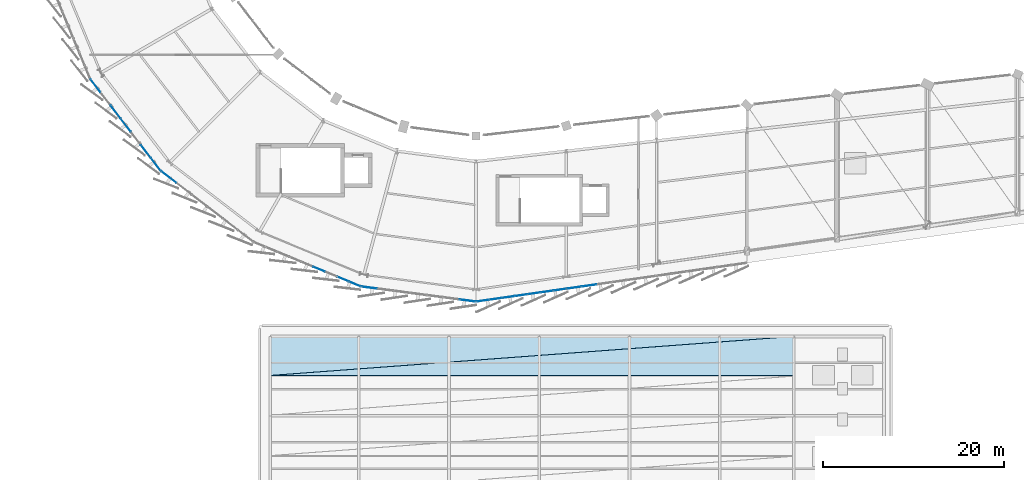
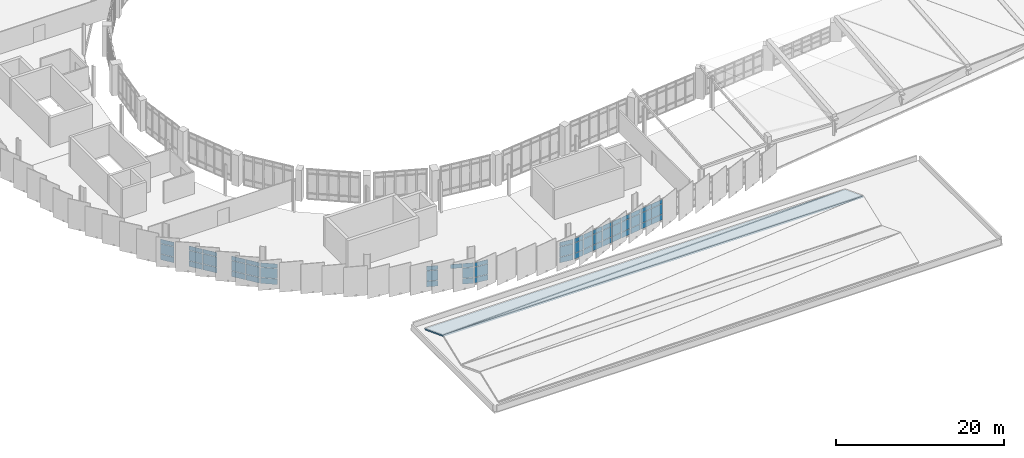
# One storey, part 46 of 67: 58 plates, 2 slabs, 6 elements without a shape of their own.
"""IFC4 building model written with IfcOpenShell, lengths in metres."""

from ifc_helpers import new_model, si_unit, direction, frame, origin, origin_2d, place, context, subcontext, project, spatial, polyline, rectangle, outline, extrude, material, layer, layer_set, type_object, element, aggregate, save


model = new_model("IFC4")

# Units and contexts
model_context = context("Model", 3, precision=1e-05, world=origin(), true_north=direction((0.0, 1.0)))
body_context = subcontext(model_context, "Body", "Model", "MODEL_VIEW")
ifc_project = project(units=[si_unit("LENGTHUNIT", "METRE"), si_unit("AREAUNIT", "SQUARE_METRE"), si_unit("VOLUMEUNIT", "CUBIC_METRE"), si_unit("PLANEANGLEUNIT", "RADIAN"), si_unit("MASSUNIT", "GRAM", prefix="KILO")], contexts=[model_context])

# Site, building, storey
site_placement = place(None, origin())
site = spatial("IfcSite", under=ifc_project, at=site_placement, CompositionType="ELEMENT")
building_placement = place(site_placement, origin())
building = spatial("IfcBuilding", under=site, at=building_placement, Name="Sohan Crest Arena", CompositionType="ELEMENT")
storey_placement = place(building_placement, frame((0.0, 0.0, 22.5)))
storey = spatial("IfcBuildingStorey", under=building, at=storey_placement, Name="L05", CompositionType="ELEMENT", Elevation=22.5)

# Curtain wall, plates
ifc_material_1 = material(Name="Thermally broken anodised aluminium", Category="aluminium")
ifc_layer_1 = layer(ifc_material_1, 0.219970703125, Name="Thermally broken anodised aluminium")
ifc_layer_set_1 = layer_set([ifc_layer_1], Name="Thermally broken anodised aluminium")
curtain_wall_type_1 = type_object("IfcCurtainWallType", Name="ARC-CW03", PredefinedType="NOTDEFINED", material=ifc_layer_set_1)
curtain_wall_1_placement = place(storey_placement, origin())
curtain_wall_1 = element("IfcCurtainWall", 1, at=curtain_wall_1_placement, inside=storey, type_object=curtain_wall_type_1, Name="Unitised curtain wall CW-154", PredefinedType="NOTDEFINED")
ifc_material_2 = material(Name="Low-E double-glazed insulated glass", Category="glass")
ifc_layer_2 = layer(ifc_material_2, 0.028076171875, Name="Low-E double-glazed insulated glass")
ifc_layer_set_2 = layer_set([ifc_layer_2], Name="Low-E double-glazed insulated glass")
plate_type_1 = type_object("IfcPlateType", Name="ARC-CNP01", PredefinedType="CURTAIN_PANEL", material=ifc_layer_set_2)
plate_1_placement = place(storey_placement, frame((55.831298828125, 52.5830078125, 0.070068359375), z_axis=(0.0, 0.0, 1.0), x_axis=(0.60871994181, -0.793385172815, 0.0)))
plate_1 = element("IfcPlate", 2, at=plate_1_placement, type_object=plate_type_1, Name="CW-154 panel 1.1", PredefinedType="CURTAIN_PANEL", context=body_context, shape_type="SweptSolid", body=[
    extrude(rectangle(XDim=1.75048828125, YDim=0.028076171875, at=origin_2d()), origin(), (0.0, 0.0, 1.0), 0.794921875),
])
plate_2_placement = place(storey_placement, frame((55.831298828125, 52.5830078125, 0.93505859375), z_axis=(0.0, 0.0, 1.0), x_axis=(0.60871994181, -0.793385172815, 0.0)))
plate_2 = element("IfcPlate", 3, at=plate_2_placement, type_object=plate_type_1, Name="CW-154 panel 1.2", PredefinedType="CURTAIN_PANEL", context=body_context, shape_type="SweptSolid", body=[
    extrude(rectangle(XDim=1.75048828125, YDim=0.028076171875, at=origin_2d()), origin(), (0.0, 0.0, 1.0), 1.449951171875),
])
plate_3_placement = place(storey_placement, frame((55.831298828125, 52.5830078125, 2.455078125), z_axis=(0.0, 0.0, 1.0), x_axis=(0.60871994181, -0.793385172815, 0.0)))
plate_3 = element("IfcPlate", 4, at=plate_3_placement, type_object=plate_type_1, Name="CW-154 panel 1.3", PredefinedType="CURTAIN_PANEL", context=body_context, shape_type="SweptSolid", body=[
    extrude(rectangle(XDim=1.75048828125, YDim=0.028076171875, at=origin_2d()), origin(), (0.0, 0.0, 1.0), 0.594970703125),
])
plate_4_placement = place(storey_placement, frame((58.062744140625, 49.674560546875, 0.070068359375), z_axis=(0.0, 0.0, 1.0), x_axis=(0.60871994181, -0.793385172815, 0.0)))
plate_4 = element("IfcPlate", 5, at=plate_4_placement, type_object=plate_type_1, Name="CW-154 panel 3.1", PredefinedType="CURTAIN_PANEL", context=body_context, shape_type="SweptSolid", body=[
    extrude(rectangle(XDim=1.780517578125, YDim=0.028076171875, at=origin_2d()), origin(), (0.0, 0.0, 1.0), 0.794921875),
])
plate_5_placement = place(storey_placement, frame((58.062744140625, 49.674560546875, 0.93505859375), z_axis=(0.0, 0.0, 1.0), x_axis=(0.60871994181, -0.793385172815, 0.0)))
plate_5 = element("IfcPlate", 6, at=plate_5_placement, type_object=plate_type_1, Name="CW-154 panel 3.2", PredefinedType="CURTAIN_PANEL", context=body_context, shape_type="SweptSolid", body=[
    extrude(rectangle(XDim=1.780517578125, YDim=0.028076171875, at=origin_2d()), origin(), (0.0, 0.0, 1.0), 1.449951171875),
])
plate_6_placement = place(storey_placement, frame((58.062744140625, 49.674560546875, 2.455078125), z_axis=(0.0, 0.0, 1.0), x_axis=(0.60871994181, -0.793385172815, 0.0)))
plate_6 = element("IfcPlate", 7, at=plate_6_placement, type_object=plate_type_1, Name="CW-154 panel 3.3", PredefinedType="CURTAIN_PANEL", context=body_context, shape_type="SweptSolid", body=[
    extrude(rectangle(XDim=1.780517578125, YDim=0.028076171875, at=origin_2d()), origin(), (0.0, 0.0, 1.0), 0.594970703125),
])
plate_7_placement = place(storey_placement, frame((59.18310546875, 48.214599609375, 0.070068359375), z_axis=(0.0, 0.0, 1.0), x_axis=(0.60871994181, -0.793385172815, 0.0)))
plate_7 = element("IfcPlate", 8, at=plate_7_placement, type_object=plate_type_1, Name="CW-154 panel 4.1", PredefinedType="CURTAIN_PANEL", context=body_context, shape_type="SweptSolid", body=[
    extrude(rectangle(XDim=1.780517578125, YDim=0.028076171875, at=origin_2d()), origin(), (0.0, 0.0, 1.0), 0.794921875),
])
plate_8_placement = place(storey_placement, frame((59.18310546875, 48.214599609375, 0.93505859375), z_axis=(0.0, 0.0, 1.0), x_axis=(0.60871994181, -0.793385172815, 0.0)))
plate_8 = element("IfcPlate", 9, at=plate_8_placement, type_object=plate_type_1, Name="CW-154 panel 4.2", PredefinedType="CURTAIN_PANEL", context=body_context, shape_type="SweptSolid", body=[
    extrude(rectangle(XDim=1.780517578125, YDim=0.028076171875, at=origin_2d()), origin(), (0.0, 0.0, 1.0), 1.449951171875),
])
plate_9_placement = place(storey_placement, frame((59.18310546875, 48.214599609375, 2.455078125), z_axis=(0.0, 0.0, 1.0), x_axis=(0.60871994181, -0.793385172815, 0.0)))
plate_9 = element("IfcPlate", 10, at=plate_9_placement, type_object=plate_type_1, Name="CW-154 panel 4.3", PredefinedType="CURTAIN_PANEL", context=body_context, shape_type="SweptSolid", body=[
    extrude(rectangle(XDim=1.780517578125, YDim=0.028076171875, at=origin_2d()), origin(), (0.0, 0.0, 1.0), 0.594970703125),
])
plate_10_placement = place(storey_placement, frame((61.423583984375, 45.294189453125, 0.070068359375), z_axis=(0.0, 0.0, 1.0), x_axis=(0.60871994181, -0.793385172815, 0.0)))
plate_10 = element("IfcPlate", 11, at=plate_10_placement, type_object=plate_type_1, Name="CW-154 panel 6.1", PredefinedType="CURTAIN_PANEL", context=body_context, shape_type="SweptSolid", body=[
    extrude(rectangle(XDim=1.780517578125, YDim=0.028076171875, at=origin_2d()), origin(), (0.0, 0.0, 1.0), 0.794921875),
])
plate_11_placement = place(storey_placement, frame((61.423583984375, 45.294189453125, 0.93505859375), z_axis=(0.0, 0.0, 1.0), x_axis=(0.60871994181, -0.793385172815, 0.0)))
plate_11 = element("IfcPlate", 12, at=plate_11_placement, type_object=plate_type_1, Name="CW-154 panel 6.2", PredefinedType="CURTAIN_PANEL", context=body_context, shape_type="SweptSolid", body=[
    extrude(rectangle(XDim=1.780517578125, YDim=0.028076171875, at=origin_2d()), origin(), (0.0, 0.0, 1.0), 1.449951171875),
])
plate_12_placement = place(storey_placement, frame((61.423583984375, 45.294189453125, 2.455078125), z_axis=(0.0, 0.0, 1.0), x_axis=(0.60871994181, -0.793385172815, 0.0)))
plate_12 = element("IfcPlate", 13, at=plate_12_placement, type_object=plate_type_1, Name="CW-154 panel 6.3", PredefinedType="CURTAIN_PANEL", context=body_context, shape_type="SweptSolid", body=[
    extrude(rectangle(XDim=1.780517578125, YDim=0.028076171875, at=origin_2d()), origin(), (0.0, 0.0, 1.0), 0.594970703125),
])
plate_13_placement = place(storey_placement, frame((62.53466796875, 43.845947265625, 0.070068359375), z_axis=(0.0, 0.0, 1.0), x_axis=(0.60871994181, -0.793385172815, 0.0)))
plate_13 = element("IfcPlate", 14, at=plate_13_placement, type_object=plate_type_1, Name="CW-154 panel 7.1", PredefinedType="CURTAIN_PANEL", context=body_context, shape_type="SweptSolid", body=[
    extrude(rectangle(XDim=1.75048828125, YDim=0.028076171875, at=origin_2d()), origin(), (0.0, 0.0, 1.0), 0.794921875),
])
plate_14_placement = place(storey_placement, frame((62.53466796875, 43.845947265625, 0.93505859375), z_axis=(0.0, 0.0, 1.0), x_axis=(0.60871994181, -0.793385172815, 0.0)))
plate_14 = element("IfcPlate", 15, at=plate_14_placement, type_object=plate_type_1, Name="CW-154 panel 7.2", PredefinedType="CURTAIN_PANEL", context=body_context, shape_type="SweptSolid", body=[
    extrude(rectangle(XDim=1.75048828125, YDim=0.028076171875, at=origin_2d()), origin(), (0.0, 0.0, 1.0), 1.449951171875),
])
plate_15_placement = place(storey_placement, frame((62.53466796875, 43.845947265625, 2.455078125), z_axis=(0.0, 0.0, 1.0), x_axis=(0.60871994181, -0.793385172815, 0.0)))
plate_15 = element("IfcPlate", 16, at=plate_15_placement, type_object=plate_type_1, Name="CW-154 panel 7.3", PredefinedType="CURTAIN_PANEL", context=body_context, shape_type="SweptSolid", body=[
    extrude(rectangle(XDim=1.75048828125, YDim=0.028076171875, at=origin_2d()), origin(), (0.0, 0.0, 1.0), 0.594970703125),
])
aggregate(curtain_wall_1, [plate_1, plate_2, plate_3, plate_4, plate_5, plate_6, plate_7, plate_8, plate_9, plate_10, plate_11, plate_12, plate_13, plate_14, plate_15])

ifc_layer_3 = layer(ifc_material_1, 0.179931640625, Name="Thermally broken anodised aluminium")
ifc_layer_set_3 = layer_set([ifc_layer_3], Name="Thermally broken anodised aluminium")
curtain_wall_type_2 = type_object("IfcCurtainWallType", Name="ARC-CW01", PredefinedType="NOTDEFINED", material=ifc_layer_set_3)
curtain_wall_2_placement = place(storey_placement, origin())
curtain_wall_2 = element("IfcCurtainWall", 17, at=curtain_wall_2_placement, inside=storey, type_object=curtain_wall_type_2, Name="Unitised curtain wall CW-158", PredefinedType="NOTDEFINED")
plate_16_placement = place(storey_placement, frame((98.729248046875, 28.754150390625, 0.06005859375), z_axis=(0.0, 0.0, 1.0), x_axis=(0.989943553128, 0.141462933734, 0.0)))
plate_16 = element("IfcPlate", 18, at=plate_16_placement, type_object=plate_type_1, Name="CW-158 panel 1.1", PredefinedType="CURTAIN_PANEL", context=body_context, shape_type="SweptSolid", body=[
    extrude(rectangle(XDim=1.35302734375, YDim=0.028076171875, at=origin_2d()), origin(), (0.0, 0.0, 1.0), 0.81005859375),
])
plate_17_placement = place(storey_placement, frame((98.729248046875, 28.754150390625, 0.929931640625), z_axis=(0.0, 0.0, 1.0), x_axis=(0.989943553128, 0.141462933734, 0.0)))
plate_17 = element("IfcPlate", 19, at=plate_17_placement, type_object=plate_type_1, Name="CW-158 panel 1.2", PredefinedType="CURTAIN_PANEL", context=body_context, shape_type="SweptSolid", body=[
    extrude(rectangle(XDim=1.35302734375, YDim=0.028076171875, at=origin_2d()), origin(), (0.0, 0.0, 1.0), 1.4599609375),
])
plate_18_placement = place(storey_placement, frame((98.729248046875, 28.754150390625, 2.44970703125), z_axis=(0.0, 0.0, 1.0), x_axis=(0.989943553128, 0.141462933734, 0.0)))
plate_18 = element("IfcPlate", 20, at=plate_18_placement, type_object=plate_type_1, Name="CW-158 panel 1.3", PredefinedType="CURTAIN_PANEL", context=body_context, shape_type="SweptSolid", body=[
    extrude(rectangle(XDim=1.35302734375, YDim=0.028076171875, at=origin_2d()), origin(), (0.0, 0.0, 1.0), 0.610107421875),
])
plate_19_placement = place(storey_placement, frame((100.142822265625, 28.956298828125, 0.06005859375), z_axis=(0.0, 0.0, 1.0), x_axis=(0.989943553128, 0.141462933734, 0.0)))
plate_19 = element("IfcPlate", 21, at=plate_19_placement, type_object=plate_type_1, Name="CW-158 panel 2.1", PredefinedType="CURTAIN_PANEL", context=body_context, shape_type="SweptSolid", body=[
    extrude(rectangle(XDim=1.383056640625, YDim=0.028076171875, at=origin_2d()), origin(), (0.0, 0.0, 1.0), 0.81005859375),
])
plate_20_placement = place(storey_placement, frame((100.142822265625, 28.956298828125, 0.929931640625), z_axis=(0.0, 0.0, 1.0), x_axis=(0.989943553128, 0.141462933734, 0.0)))
plate_20 = element("IfcPlate", 22, at=plate_20_placement, type_object=plate_type_1, Name="CW-158 panel 2.2", PredefinedType="CURTAIN_PANEL", context=body_context, shape_type="SweptSolid", body=[
    extrude(rectangle(XDim=1.383056640625, YDim=0.028076171875, at=origin_2d()), origin(), (0.0, 0.0, 1.0), 1.4599609375),
])
plate_21_placement = place(storey_placement, frame((100.142822265625, 28.956298828125, 2.44970703125), z_axis=(0.0, 0.0, 1.0), x_axis=(0.989943553128, 0.141462933734, 0.0)))
plate_21 = element("IfcPlate", 23, at=plate_21_placement, type_object=plate_type_1, Name="CW-158 panel 2.3", PredefinedType="CURTAIN_PANEL", context=body_context, shape_type="SweptSolid", body=[
    extrude(rectangle(XDim=1.383056640625, YDim=0.028076171875, at=origin_2d()), origin(), (0.0, 0.0, 1.0), 0.610107421875),
])
plate_22_placement = place(storey_placement, frame((101.571533203125, 29.160400390625, 0.06005859375), z_axis=(0.0, 0.0, 1.0), x_axis=(0.989943553128, 0.141462933734, 0.0)))
plate_22 = element("IfcPlate", 24, at=plate_22_placement, type_object=plate_type_1, Name="CW-158 panel 3.1", PredefinedType="CURTAIN_PANEL", context=body_context, shape_type="SweptSolid", body=[
    extrude(rectangle(XDim=1.383056640625, YDim=0.028076171875, at=origin_2d()), origin(), (0.0, 0.0, 1.0), 0.81005859375),
])
plate_23_placement = place(storey_placement, frame((101.571533203125, 29.160400390625, 0.929931640625), z_axis=(0.0, 0.0, 1.0), x_axis=(0.989943553128, 0.141462933734, 0.0)))
plate_23 = element("IfcPlate", 25, at=plate_23_placement, type_object=plate_type_1, Name="CW-158 panel 3.2", PredefinedType="CURTAIN_PANEL", context=body_context, shape_type="SweptSolid", body=[
    extrude(rectangle(XDim=1.383056640625, YDim=0.028076171875, at=origin_2d()), origin(), (0.0, 0.0, 1.0), 1.4599609375),
])
plate_24_placement = place(storey_placement, frame((101.571533203125, 29.160400390625, 2.44970703125), z_axis=(0.0, 0.0, 1.0), x_axis=(0.989943553128, 0.141462933734, 0.0)))
plate_24 = element("IfcPlate", 26, at=plate_24_placement, type_object=plate_type_1, Name="CW-158 panel 3.3", PredefinedType="CURTAIN_PANEL", context=body_context, shape_type="SweptSolid", body=[
    extrude(rectangle(XDim=1.383056640625, YDim=0.028076171875, at=origin_2d()), origin(), (0.0, 0.0, 1.0), 0.610107421875),
])
plate_25_placement = place(storey_placement, frame((103.0, 29.364501953125, 0.06005859375), z_axis=(0.0, 0.0, 1.0), x_axis=(0.989943553128, 0.141462933734, 0.0)))
plate_25 = element("IfcPlate", 27, at=plate_25_placement, type_object=plate_type_1, Name="CW-158 panel 4.1", PredefinedType="CURTAIN_PANEL", context=body_context, shape_type="SweptSolid", body=[
    extrude(rectangle(XDim=1.383056640625, YDim=0.028076171875, at=origin_2d()), origin(), (0.0, 0.0, 1.0), 0.81005859375),
])
plate_26_placement = place(storey_placement, frame((103.0, 29.364501953125, 0.929931640625), z_axis=(0.0, 0.0, 1.0), x_axis=(0.989943553128, 0.141462933734, 0.0)))
plate_26 = element("IfcPlate", 28, at=plate_26_placement, type_object=plate_type_1, Name="CW-158 panel 4.2", PredefinedType="CURTAIN_PANEL", context=body_context, shape_type="SweptSolid", body=[
    extrude(rectangle(XDim=1.383056640625, YDim=0.028076171875, at=origin_2d()), origin(), (0.0, 0.0, 1.0), 1.4599609375),
])
plate_27_placement = place(storey_placement, frame((103.0, 29.364501953125, 2.44970703125), z_axis=(0.0, 0.0, 1.0), x_axis=(0.989943553128, 0.141462933734, 0.0)))
plate_27 = element("IfcPlate", 29, at=plate_27_placement, type_object=plate_type_1, Name="CW-158 panel 4.3", PredefinedType="CURTAIN_PANEL", context=body_context, shape_type="SweptSolid", body=[
    extrude(rectangle(XDim=1.383056640625, YDim=0.028076171875, at=origin_2d()), origin(), (0.0, 0.0, 1.0), 0.610107421875),
])
plate_28_placement = place(storey_placement, frame((104.428466796875, 29.568603515625, 0.06005859375), z_axis=(0.0, 0.0, 1.0), x_axis=(0.989943553128, 0.141462933734, 0.0)))
plate_28 = element("IfcPlate", 30, at=plate_28_placement, type_object=plate_type_1, Name="CW-158 panel 5.1", PredefinedType="CURTAIN_PANEL", context=body_context, shape_type="SweptSolid", body=[
    extrude(rectangle(XDim=1.383056640625, YDim=0.028076171875, at=origin_2d()), origin(), (0.0, 0.0, 1.0), 0.81005859375),
])
plate_29_placement = place(storey_placement, frame((104.428466796875, 29.568603515625, 0.929931640625), z_axis=(0.0, 0.0, 1.0), x_axis=(0.989943553128, 0.141462933734, 0.0)))
plate_29 = element("IfcPlate", 31, at=plate_29_placement, type_object=plate_type_1, Name="CW-158 panel 5.2", PredefinedType="CURTAIN_PANEL", context=body_context, shape_type="SweptSolid", body=[
    extrude(rectangle(XDim=1.383056640625, YDim=0.028076171875, at=origin_2d()), origin(), (0.0, 0.0, 1.0), 1.4599609375),
])
plate_30_placement = place(storey_placement, frame((104.428466796875, 29.568603515625, 2.44970703125), z_axis=(0.0, 0.0, 1.0), x_axis=(0.989943553128, 0.141462933734, 0.0)))
plate_30 = element("IfcPlate", 32, at=plate_30_placement, type_object=plate_type_1, Name="CW-158 panel 5.3", PredefinedType="CURTAIN_PANEL", context=body_context, shape_type="SweptSolid", body=[
    extrude(rectangle(XDim=1.383056640625, YDim=0.028076171875, at=origin_2d()), origin(), (0.0, 0.0, 1.0), 0.610107421875),
])
plate_31_placement = place(storey_placement, frame((105.857177734375, 29.772705078125, 0.06005859375), z_axis=(0.0, 0.0, 1.0), x_axis=(0.989943553128, 0.141462933734, 0.0)))
plate_31 = element("IfcPlate", 33, at=plate_31_placement, type_object=plate_type_1, Name="CW-158 panel 6.1", PredefinedType="CURTAIN_PANEL", context=body_context, shape_type="SweptSolid", body=[
    extrude(rectangle(XDim=1.383056640625, YDim=0.028076171875, at=origin_2d()), origin(), (0.0, 0.0, 1.0), 0.81005859375),
])
plate_32_placement = place(storey_placement, frame((105.857177734375, 29.772705078125, 0.929931640625), z_axis=(0.0, 0.0, 1.0), x_axis=(0.989943553128, 0.141462933734, 0.0)))
plate_32 = element("IfcPlate", 34, at=plate_32_placement, type_object=plate_type_1, Name="CW-158 panel 6.2", PredefinedType="CURTAIN_PANEL", context=body_context, shape_type="SweptSolid", body=[
    extrude(rectangle(XDim=1.383056640625, YDim=0.028076171875, at=origin_2d()), origin(), (0.0, 0.0, 1.0), 1.4599609375),
])
plate_33_placement = place(storey_placement, frame((105.857177734375, 29.772705078125, 2.44970703125), z_axis=(0.0, 0.0, 1.0), x_axis=(0.989943553128, 0.141462933734, 0.0)))
plate_33 = element("IfcPlate", 35, at=plate_33_placement, type_object=plate_type_1, Name="CW-158 panel 6.3", PredefinedType="CURTAIN_PANEL", context=body_context, shape_type="SweptSolid", body=[
    extrude(rectangle(XDim=1.383056640625, YDim=0.028076171875, at=origin_2d()), origin(), (0.0, 0.0, 1.0), 0.610107421875),
])
plate_34_placement = place(storey_placement, frame((107.270751953125, 29.974853515625, 0.06005859375), z_axis=(0.0, 0.0, 1.0), x_axis=(0.989943553128, 0.141462933734, 0.0)))
plate_34 = element("IfcPlate", 36, at=plate_34_placement, type_object=plate_type_1, Name="CW-158 panel 7.1", PredefinedType="CURTAIN_PANEL", context=body_context, shape_type="SweptSolid", body=[
    extrude(rectangle(XDim=1.35302734375, YDim=0.028076171875, at=origin_2d()), origin(), (0.0, 0.0, 1.0), 0.81005859375),
])
plate_35_placement = place(storey_placement, frame((107.270751953125, 29.974853515625, 0.929931640625), z_axis=(0.0, 0.0, 1.0), x_axis=(0.989943553128, 0.141462933734, 0.0)))
plate_35 = element("IfcPlate", 37, at=plate_35_placement, type_object=plate_type_1, Name="CW-158 panel 7.2", PredefinedType="CURTAIN_PANEL", context=body_context, shape_type="SweptSolid", body=[
    extrude(rectangle(XDim=1.35302734375, YDim=0.028076171875, at=origin_2d()), origin(), (0.0, 0.0, 1.0), 1.4599609375),
])
plate_36_placement = place(storey_placement, frame((107.270751953125, 29.974853515625, 2.44970703125), z_axis=(0.0, 0.0, 1.0), x_axis=(0.989943553128, 0.141462933734, 0.0)))
plate_36 = element("IfcPlate", 38, at=plate_36_placement, type_object=plate_type_1, Name="CW-158 panel 7.3", PredefinedType="CURTAIN_PANEL", context=body_context, shape_type="SweptSolid", body=[
    extrude(rectangle(XDim=1.35302734375, YDim=0.028076171875, at=origin_2d()), origin(), (0.0, 0.0, 1.0), 0.610107421875),
])
aggregate(curtain_wall_2, [plate_16, plate_17, plate_18, plate_19, plate_20, plate_21, plate_22, plate_23, plate_24, plate_25, plate_26, plate_27, plate_28, plate_29, plate_30, plate_31, plate_32, plate_33, plate_34, plate_35, plate_36])

ifc_layer_4 = layer(ifc_material_1, 0.239990234375, Name="Thermally broken anodised aluminium")
ifc_layer_set_4 = layer_set([ifc_layer_4], Name="Thermally broken anodised aluminium")
curtain_wall_type_3 = type_object("IfcCurtainWallType", Name="ARC-CW04", PredefinedType="NOTDEFINED", material=ifc_layer_set_4)
curtain_wall_3_placement = place(storey_placement, origin())
curtain_wall_3 = element("IfcCurtainWall", 39, at=curtain_wall_3_placement, inside=storey, type_object=curtain_wall_type_3, Name="Unitised curtain wall CW-155", PredefinedType="NOTDEFINED")
ifc_layer_5 = layer(ifc_material_2, 0.031982421875, Name="Low-E double-glazed insulated glass")
ifc_layer_set_5 = layer_set([ifc_layer_5], Name="Low-E double-glazed insulated glass")
plate_type_2 = type_object("IfcPlateType", Name="ARC-CNP02", PredefinedType="CURTAIN_PANEL", material=ifc_layer_set_5)
plate_37_placement = place(storey_placement, frame((63.96875, 42.440673828125, 0.06005859375), z_axis=(0.0, 0.0, 1.0), x_axis=(0.793385172815, -0.60871994181, 0.0)))
plate_37 = element("IfcPlate", 40, at=plate_37_placement, type_object=plate_type_2, Name="CW-155 panel 1.1", PredefinedType="CURTAIN_PANEL", context=body_context, shape_type="SweptSolid", body=[
    extrude(rectangle(XDim=2.049560546875, YDim=0.031982421875, at=origin_2d()), origin(), (0.0, 0.0, 1.0), 0.81005859375),
])
plate_38_placement = place(storey_placement, frame((63.96875, 42.440673828125, 0.929931640625), z_axis=(0.0, 0.0, 1.0), x_axis=(0.793385172815, -0.60871994181, 0.0)))
plate_38 = element("IfcPlate", 41, at=plate_38_placement, type_object=plate_type_2, Name="CW-155 panel 1.2", PredefinedType="CURTAIN_PANEL", context=body_context, shape_type="SweptSolid", body=[
    extrude(rectangle(XDim=2.049560546875, YDim=0.031982421875, at=origin_2d()), origin(), (0.0, 0.0, 1.0), 1.4599609375),
])
plate_39_placement = place(storey_placement, frame((63.96875, 42.440673828125, 2.44970703125), z_axis=(0.0, 0.0, 1.0), x_axis=(0.793385172815, -0.60871994181, 0.0)))
plate_39 = element("IfcPlate", 42, at=plate_39_placement, type_object=plate_type_2, Name="CW-155 panel 1.3", PredefinedType="CURTAIN_PANEL", context=body_context, shape_type="SweptSolid", body=[
    extrude(rectangle(XDim=2.049560546875, YDim=0.031982421875, at=origin_2d()), origin(), (0.0, 0.0, 1.0), 0.610107421875),
])
aggregate(curtain_wall_3, [plate_37, plate_38, plate_39])

ifc_layer_6 = layer(ifc_material_1, 0.199951171875, Name="Thermally broken anodised aluminium")
ifc_layer_set_6 = layer_set([ifc_layer_6], Name="Thermally broken anodised aluminium")
curtain_wall_type_4 = type_object("IfcCurtainWallType", Name="ARC-CW02", PredefinedType="NOTDEFINED", material=ifc_layer_set_6)
curtain_wall_4_placement = place(storey_placement, origin())
curtain_wall_4 = element("IfcCurtainWall", 43, at=curtain_wall_4_placement, inside=storey, type_object=curtain_wall_type_4, Name="Unitised curtain wall CW-159", PredefinedType="NOTDEFINED")
plate_40_placement = place(storey_placement, frame((108.849365234375, 30.2001953125, 0.06494140625), z_axis=(0.0, 0.0, 1.0), x_axis=(0.989957411768, 0.141365918403, 0.0)))
plate_40 = element("IfcPlate", 44, at=plate_40_placement, type_object=plate_type_2, Name="CW-159 panel 1.1", PredefinedType="CURTAIN_PANEL", context=body_context, shape_type="SweptSolid", body=[
    extrude(rectangle(XDim=1.586181640625, YDim=0.031982421875, at=origin_2d()), origin(), (0.0, 0.0, 1.0), 0.802490234375),
])
plate_41_placement = place(storey_placement, frame((108.849365234375, 30.2001953125, 0.932373046875), z_axis=(0.0, 0.0, 1.0), x_axis=(0.989957411768, 0.141365918403, 0.0)))
plate_41 = element("IfcPlate", 45, at=plate_41_placement, type_object=plate_type_2, Name="CW-159 panel 1.2", PredefinedType="CURTAIN_PANEL", context=body_context, shape_type="SweptSolid", body=[
    extrude(rectangle(XDim=1.586181640625, YDim=0.031982421875, at=origin_2d()), origin(), (0.0, 0.0, 1.0), 1.455078125),
])
plate_42_placement = place(storey_placement, frame((108.849365234375, 30.2001953125, 2.452392578125), z_axis=(0.0, 0.0, 1.0), x_axis=(0.989957411768, 0.141365918403, 0.0)))
plate_42 = element("IfcPlate", 46, at=plate_42_placement, type_object=plate_type_2, Name="CW-159 panel 1.3", PredefinedType="CURTAIN_PANEL", context=body_context, shape_type="SweptSolid", body=[
    extrude(rectangle(XDim=1.586181640625, YDim=0.031982421875, at=origin_2d()), origin(), (0.0, 0.0, 1.0), 0.6025390625),
])
plate_43_placement = place(storey_placement, frame((110.5, 30.43603515625, 0.06494140625), z_axis=(0.0, 0.0, 1.0), x_axis=(0.989957411768, 0.141365918403, 0.0)))
plate_43 = element("IfcPlate", 47, at=plate_43_placement, type_object=plate_type_2, Name="CW-159 panel 2.1", PredefinedType="CURTAIN_PANEL", context=body_context, shape_type="SweptSolid", body=[
    extrude(rectangle(XDim=1.61865234375, YDim=0.031982421875, at=origin_2d()), origin(), (0.0, 0.0, 1.0), 0.802490234375),
])
plate_44_placement = place(storey_placement, frame((110.5, 30.43603515625, 0.932373046875), z_axis=(0.0, 0.0, 1.0), x_axis=(0.989957411768, 0.141365918403, 0.0)))
plate_44 = element("IfcPlate", 48, at=plate_44_placement, type_object=plate_type_2, Name="CW-159 panel 2.2", PredefinedType="CURTAIN_PANEL", context=body_context, shape_type="SweptSolid", body=[
    extrude(rectangle(XDim=1.61865234375, YDim=0.031982421875, at=origin_2d()), origin(), (0.0, 0.0, 1.0), 1.455078125),
])
plate_45_placement = place(storey_placement, frame((110.5, 30.43603515625, 2.452392578125), z_axis=(0.0, 0.0, 1.0), x_axis=(0.989957411768, 0.141365918403, 0.0)))
plate_45 = element("IfcPlate", 49, at=plate_45_placement, type_object=plate_type_2, Name="CW-159 panel 2.3", PredefinedType="CURTAIN_PANEL", context=body_context, shape_type="SweptSolid", body=[
    extrude(rectangle(XDim=1.61865234375, YDim=0.031982421875, at=origin_2d()), origin(), (0.0, 0.0, 1.0), 0.6025390625),
])
aggregate(curtain_wall_4, [plate_40, plate_41, plate_42, plate_43, plate_44, plate_45])

ifc_layer_7 = layer(ifc_material_1, 0.18994140625, Name="Thermally broken anodised aluminium")
ifc_layer_set_7 = layer_set([ifc_layer_7], Name="Thermally broken anodised aluminium")
curtain_wall_type_5 = type_object("IfcCurtainWallType", Name="ARC-CW05", PredefinedType="NOTDEFINED", material=ifc_layer_set_7)
curtain_wall_5_placement = place(storey_placement, origin())
curtain_wall_5 = element("IfcCurtainWall", 50, at=curtain_wall_5_placement, inside=storey, type_object=curtain_wall_type_5, Name="Unitised curtain wall CW-156", PredefinedType="NOTDEFINED")
ifc_material_3 = material(Name="Ceramic-fritted solar-control insulated glass", Category="glass")
ifc_layer_8 = layer(ifc_material_3, 0.035888671875, Name="Ceramic-fritted solar-control insulated glass")
ifc_layer_set_8 = layer_set([ifc_layer_8], Name="Ceramic-fritted solar-control insulated glass")
plate_type_3 = type_object("IfcPlateType", Name="ARC-CNP03", PredefinedType="CURTAIN_PANEL", material=ifc_layer_set_8)
plate_46_placement = place(storey_placement, frame((80.598388671875, 32.249267578125, 0.06494140625), z_axis=(0.0, 0.0, 1.0), x_axis=(0.923878704229, -0.382685432009, 0.0)))
plate_46 = element("IfcPlate", 51, at=plate_46_placement, type_object=plate_type_3, Name="CW-156 panel 6.1", PredefinedType="CURTAIN_PANEL", context=body_context, shape_type="SweptSolid", body=[
    extrude(rectangle(XDim=1.361328125, YDim=0.035888671875, at=origin_2d()), origin(), (0.0, 0.0, 1.0), 0.802490234375),
])
plate_47_placement = place(storey_placement, frame((80.598388671875, 32.249267578125, 0.932373046875), z_axis=(0.0, 0.0, 1.0), x_axis=(0.923878704229, -0.382685432009, 0.0)))
plate_47 = element("IfcPlate", 52, at=plate_47_placement, type_object=plate_type_3, Name="CW-156 panel 6.2", PredefinedType="CURTAIN_PANEL", context=body_context, shape_type="SweptSolid", body=[
    extrude(rectangle(XDim=1.361328125, YDim=0.035888671875, at=origin_2d()), origin(), (0.0, 0.0, 1.0), 1.455078125),
])
plate_48_placement = place(storey_placement, frame((80.598388671875, 32.249267578125, 2.452392578125), z_axis=(0.0, 0.0, 1.0), x_axis=(0.923878704229, -0.382685432009, 0.0)))
plate_48 = element("IfcPlate", 53, at=plate_48_placement, type_object=plate_type_3, Name="CW-156 panel 6.3", PredefinedType="CURTAIN_PANEL", context=body_context, shape_type="SweptSolid", body=[
    extrude(rectangle(XDim=1.361328125, YDim=0.035888671875, at=origin_2d()), origin(), (0.0, 0.0, 1.0), 0.6025390625),
])
plate_49_placement = place(storey_placement, frame((83.243408203125, 31.153564453125, 2.452392578125), z_axis=(0.0, 0.0, 1.0), x_axis=(0.923878704229, -0.382685432009, 0.0)))
plate_49 = element("IfcPlate", 54, at=plate_49_placement, type_object=plate_type_3, Name="CW-156 panel 8.3", PredefinedType="CURTAIN_PANEL", context=body_context, shape_type="SweptSolid", body=[
    extrude(rectangle(XDim=1.361328125, YDim=0.035888671875, at=origin_2d()), origin(), (0.0, 0.0, 1.0), 0.6025390625),
])
plate_50_placement = place(storey_placement, frame((84.549560546875, 30.612548828125, 0.06494140625), z_axis=(0.0, 0.0, 1.0), x_axis=(0.923878704229, -0.382685432009, 0.0)))
plate_50 = element("IfcPlate", 55, at=plate_50_placement, type_object=plate_type_3, Name="CW-156 panel 9.1", PredefinedType="CURTAIN_PANEL", context=body_context, shape_type="SweptSolid", body=[
    extrude(rectangle(XDim=1.326416015625, YDim=0.035888671875, at=origin_2d()), origin(), (0.0, 0.0, 1.0), 0.802490234375),
])
plate_51_placement = place(storey_placement, frame((84.549560546875, 30.612548828125, 0.932373046875), z_axis=(0.0, 0.0, 1.0), x_axis=(0.923878704229, -0.382685432009, 0.0)))
plate_51 = element("IfcPlate", 56, at=plate_51_placement, type_object=plate_type_3, Name="CW-156 panel 9.2", PredefinedType="CURTAIN_PANEL", context=body_context, shape_type="SweptSolid", body=[
    extrude(rectangle(XDim=1.326416015625, YDim=0.035888671875, at=origin_2d()), origin(), (0.0, 0.0, 1.0), 1.455078125),
])
plate_52_placement = place(storey_placement, frame((84.549560546875, 30.612548828125, 2.452392578125), z_axis=(0.0, 0.0, 1.0), x_axis=(0.923878704229, -0.382685432009, 0.0)))
plate_52 = element("IfcPlate", 57, at=plate_52_placement, type_object=plate_type_3, Name="CW-156 panel 9.3", PredefinedType="CURTAIN_PANEL", context=body_context, shape_type="SweptSolid", body=[
    extrude(rectangle(XDim=1.326416015625, YDim=0.035888671875, at=origin_2d()), origin(), (0.0, 0.0, 1.0), 0.6025390625),
])
aggregate(curtain_wall_5, [plate_46, plate_47, plate_48, plate_49, plate_50, plate_51, plate_52])

ifc_layer_9 = layer(ifc_material_1, 0.2099609375, Name="Thermally broken anodised aluminium")
ifc_layer_set_9 = layer_set([ifc_layer_9], Name="Thermally broken anodised aluminium")
curtain_wall_type_6 = type_object("IfcCurtainWallType", Name="ARC-CW06", PredefinedType="NOTDEFINED", material=ifc_layer_set_9)
curtain_wall_6_placement = place(storey_placement, origin())
curtain_wall_6 = element("IfcCurtainWall", 58, at=curtain_wall_6_placement, inside=storey, type_object=curtain_wall_type_6, Name="Unitised curtain wall CW-157", PredefinedType="NOTDEFINED")
ifc_material_4 = material(Name="Insulated polychrome ceramic spandrel panel", Category="masonry")
ifc_layer_10 = layer(ifc_material_4, 0.0419921875, Name="Insulated polychrome ceramic spandrel panel")
ifc_layer_set_10 = layer_set([ifc_layer_10], Name="Insulated polychrome ceramic spandrel panel")
plate_type_4 = type_object("IfcPlateType", Name="ARC-CNP04", PredefinedType="CURTAIN_PANEL", material=ifc_layer_set_10)
plate_53_placement = place(storey_placement, frame((86.157958984375, 30.20947265625, 0.070068359375), z_axis=(0.0, 0.0, 1.0), x_axis=(0.991440816386, -0.130556913275, 0.0)))
plate_53 = element("IfcPlate", 59, at=plate_53_placement, type_object=plate_type_4, Name="CW-157 panel 1.1", PredefinedType="CURTAIN_PANEL", context=body_context, shape_type="SweptSolid", body=[
    extrude(rectangle(XDim=1.72802734375, YDim=0.0419921875, at=origin_2d()), origin(), (0.0, 0.0, 1.0), 0.794921875),
])
plate_54_placement = place(storey_placement, frame((86.157958984375, 30.20947265625, 0.93505859375), z_axis=(0.0, 0.0, 1.0), x_axis=(0.991440816386, -0.130556913275, 0.0)))
plate_54 = element("IfcPlate", 60, at=plate_54_placement, type_object=plate_type_4, Name="CW-157 panel 1.2", PredefinedType="CURTAIN_PANEL", context=body_context, shape_type="SweptSolid", body=[
    extrude(rectangle(XDim=1.72802734375, YDim=0.0419921875, at=origin_2d()), origin(), (0.0, 0.0, 1.0), 1.449951171875),
])
plate_55_placement = place(storey_placement, frame((86.157958984375, 30.20947265625, 2.455078125), z_axis=(0.0, 0.0, 1.0), x_axis=(0.991440816386, -0.130556913275, 0.0)))
plate_55 = element("IfcPlate", 61, at=plate_55_placement, type_object=plate_type_4, Name="CW-157 panel 1.3", PredefinedType="CURTAIN_PANEL", context=body_context, shape_type="SweptSolid", body=[
    extrude(rectangle(XDim=1.72802734375, YDim=0.0419921875, at=origin_2d()), origin(), (0.0, 0.0, 1.0), 0.594970703125),
])
plate_56_placement = place(storey_placement, frame((97.069091796875, 28.772705078125, 0.070068359375), z_axis=(0.0, 0.0, 1.0), x_axis=(0.991440816386, -0.130556913275, 0.0)))
plate_56 = element("IfcPlate", 62, at=plate_56_placement, type_object=plate_type_4, Name="CW-157 panel 7.1", PredefinedType="CURTAIN_PANEL", context=body_context, shape_type="SweptSolid", body=[
    extrude(rectangle(XDim=1.72802734375, YDim=0.0419921875, at=origin_2d()), origin(), (0.0, 0.0, 1.0), 0.794921875),
])
plate_57_placement = place(storey_placement, frame((97.069091796875, 28.772705078125, 0.93505859375), z_axis=(0.0, 0.0, 1.0), x_axis=(0.991440816386, -0.130556913275, 0.0)))
plate_57 = element("IfcPlate", 63, at=plate_57_placement, type_object=plate_type_4, Name="CW-157 panel 7.2", PredefinedType="CURTAIN_PANEL", context=body_context, shape_type="SweptSolid", body=[
    extrude(rectangle(XDim=1.72802734375, YDim=0.0419921875, at=origin_2d()), origin(), (0.0, 0.0, 1.0), 1.449951171875),
])
plate_58_placement = place(storey_placement, frame((97.069091796875, 28.772705078125, 2.455078125), z_axis=(0.0, 0.0, 1.0), x_axis=(0.991440816386, -0.130556913275, 0.0)))
plate_58 = element("IfcPlate", 64, at=plate_58_placement, type_object=plate_type_4, Name="CW-157 panel 7.3", PredefinedType="CURTAIN_PANEL", context=body_context, shape_type="SweptSolid", body=[
    extrude(rectangle(XDim=1.72802734375, YDim=0.0419921875, at=origin_2d()), origin(), (0.0, 0.0, 1.0), 0.594970703125),
])
aggregate(curtain_wall_6, [plate_53, plate_54, plate_55, plate_56, plate_57, plate_58])

# Slabs
ifc_material_5 = material(Name="Concrete C40/50", Category="concrete")
ifc_layer_11 = layer(ifc_material_5, 0.175048828125, Name="Concrete C40/50")
ifc_layer_set_11 = layer_set([ifc_layer_11], Name="Concrete C40/50")
slab_type = type_object("IfcSlabType", Name="SL-RF01", PredefinedType="ROOF", material=ifc_layer_set_11)
slab_1_placement = place(storey_placement, frame((75.277099609375, 20.47802734375, 1.9560546875), z_axis=(0.0, 0.359014457977, 0.933331998253), x_axis=(1.0, 0.0, 0.0)))
element("IfcSlab", 65, at=slab_1_placement, inside=storey, type_object=slab_type, Name="Sloped roof deck panel RF-SL-151", PredefinedType="ROOF", context=body_context, shape_type="SweptSolid", body=[
    extrude(outline(polyline([(0.0, 0.0), (57.8837890625, 0.0), (57.8837890625, 4.6242044383216), (0.0, 0.0)])), origin(), (0.0, 0.0, -1.0), 0.175048828125),
])
slab_2_placement = place(storey_placement, frame((75.239013671875, 20.48095703125, 1.9560546875), z_axis=(0.0, 0.358996767836, 0.933338802731), x_axis=(0.996823883733, 0.074328847501, -0.02858963533)))
element("IfcSlab", 66, at=slab_2_placement, inside=storey, type_object=slab_type, Name="Sloped roof deck panel RF-SL-152", PredefinedType="ROOF", context=body_context, shape_type="SweptSolid", body=[
    extrude(outline(polyline([(0.0, 0.0), (58.06846540067419, 7.771561172376096e-16), (0.3682786169956236, 4.609744568745898), (0.0, 0.0)])), origin(), (0.0, 0.0, -1.0), 0.175048828125),
])

save(model, "model.ifc")
